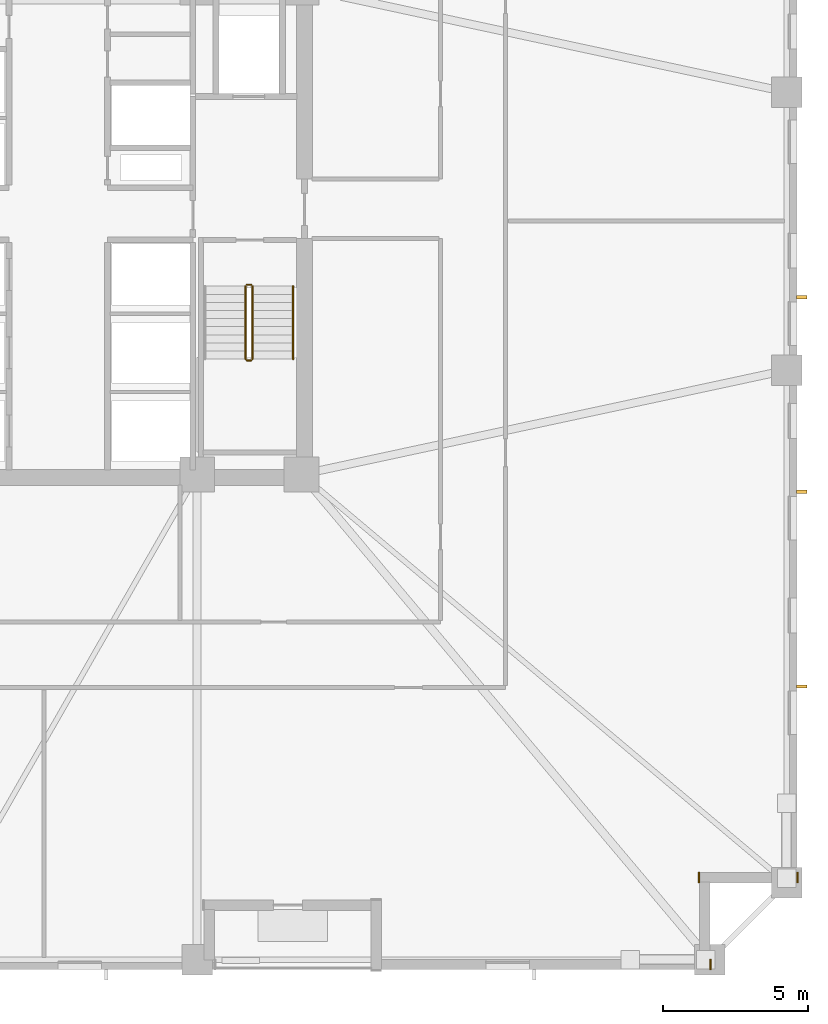
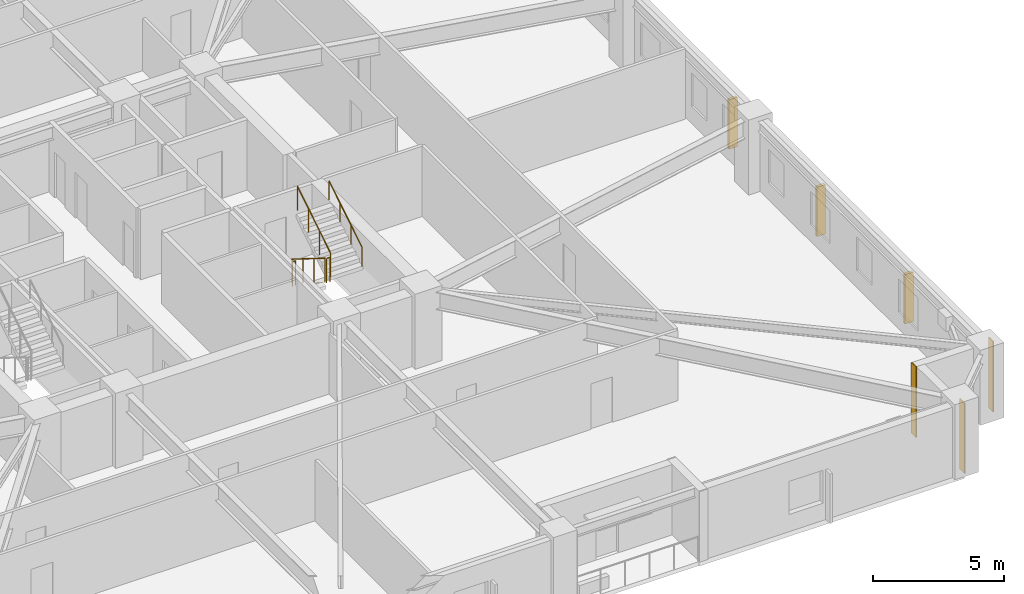
# One storey, part 9 of 11: 5 railings, 3 coverings, 3 shading devices.
"""IFC4 building model written with IfcOpenShell, lengths in metres."""

from ifc_helpers import new_model, si_unit, direction, frame, frame_2d, origin, origin_2d, place, context, subcontext, project, spatial, rectangle, circle, extrude, material, layer, layer_set, type_object, element, save


model = new_model("IFC4")

# Units and contexts
model_context = context("Model", 3, precision=1e-05, world=origin(), true_north=direction((0.0, 1.0)))
body_context = subcontext(model_context, "Body", "Model", "MODEL_VIEW")
ifc_project = project(units=[si_unit("LENGTHUNIT", "METRE"), si_unit("AREAUNIT", "SQUARE_METRE"), si_unit("VOLUMEUNIT", "CUBIC_METRE"), si_unit("PLANEANGLEUNIT", "RADIAN"), si_unit("MASSUNIT", "GRAM", prefix="KILO")], contexts=[model_context])

# Site, building, storey
site_placement = place(None, origin())
site = spatial("IfcSite", under=ifc_project, at=site_placement, CompositionType="ELEMENT")
building_placement = place(site_placement, origin())
building = spatial("IfcBuilding", under=site, at=building_placement, Name="Cairnveth Concourse Tower", CompositionType="ELEMENT")
storey_placement = place(building_placement, frame((0.0, 0.0, 44.5)))
storey = spatial("IfcBuildingStorey", under=building, at=storey_placement, Name="L11", CompositionType="ELEMENT", Elevation=44.5)

# Coverings
ifc_material_1 = material(Name="Dressed Melbourne Bluestone Cladding", Category="masonry")
ifc_layer = layer(ifc_material_1, 0.050048828125)
ifc_layer_set = layer_set([ifc_layer], Name="Dressed Melbourne Bluestone Cladding")
covering_type = type_object("IfcCoveringType", Name="DRESSED BLUESTONE PLINTH CLADDING 50", PredefinedType="CLADDING", material=ifc_layer_set)
for number, where, z_axis, x_axis, name in (
    (1, (77.52001953125, 16.860107421875, 0.0), (0.0, 0.0, 1.0), (0.0, -1.0, 0.0), "Melbourne Bluestone Corner Quoin L11-129"),
    (2, (74.1201171875, 16.860107421875, 0.0), (0.0, 0.0, 1.0), (0.0, -1.0, 0.0), "Melbourne Bluestone Corner Quoin L11-130"),
    (3, (74.52001953125, 13.860107421875, 0.0), (0.0, 0.0, 1.0), (0.0, -1.0, 0.0), "Melbourne Bluestone Corner Quoin L11-131"),
):
    element("IfcCovering", number, at=place(storey_placement, frame(where, z_axis=z_axis, x_axis=x_axis)), inside=storey, type_object=covering_type, Name=name, PredefinedType="CLADDING", context=body_context, shape_type="SweptSolid", body=[
        extrude(rectangle(XDim=0.360107421875, YDim=0.050048828125, at=frame_2d((0.18017578125, 0.0))), origin(), (0.0, 0.0, 1.0), 3.280029296875),
    ])

# Shading devices
ifc_material_2 = material(Name="Architectural Bronze Anodised Aluminium 6063-T6", Category="aluminium")
shading_device_type = type_object("IfcShadingDeviceType", Name="GOTHIC BRONZE VERTICAL LANCET FIN", PredefinedType="USERDEFINED", material=ifc_material_2)
for number, where, z_axis, x_axis, name in (
    (4, (77.675048828125, 36.71875, 0.02978515625), (0.0, 0.0, 1.0), (0.0, 1.0, 0.0), "Gothic Bronze Vertical Fin L11-9-7"),
    (5, (77.675048828125, 29.99853515625, 0.02978515625), (0.0, 0.0, 1.0), (0.0, 1.0, 0.0), "Gothic Bronze Vertical Fin L11-9-9"),
    (6, (77.675048828125, 23.278076171875, 0.02978515625), (0.0, 0.0, 1.0), (0.0, 1.0, 0.0), "Gothic Bronze Vertical Fin L11-9-11"),
):
    element("IfcShadingDevice", number, at=place(storey_placement, frame(where, z_axis=z_axis, x_axis=x_axis)), inside=storey, type_object=shading_device_type, Name=name, ObjectType="VERTICAL FIN", PredefinedType="USERDEFINED", context=body_context, shape_type="SweptSolid", body=[
        extrude(rectangle(XDim=0.1201171875, YDim=0.360107421875, at=origin_2d()), origin(), (0.0, 0.0, 1.0), 2.303955078125),
    ])

# Railings
ifc_material_3 = material(Name="Steel Grade 350", Category="steel")
railing_type_1 = type_object("IfcRailingType", Name="STAIR GUARDRAIL 1150", PredefinedType="GUARDRAIL", material=ifc_material_3)
railing_1_placement = place(storey_placement, frame((58.469970703125, 37.10009765625, 0.175048828125)))
element("IfcRailing", 7, at=railing_1_placement, inside=storey, type_object=railing_type_1, Name="L11 ST-2 stair guard 1", PredefinedType="GUARDRAIL", context=body_context, shape_type="SweptSolid", body=[
    extrude(circle(Radius=0.02392578125, at=origin_2d()), frame((0.0, 0.0, 1.1259765625), z_axis=(0.0, -0.848007534815, 0.529984170421), x_axis=(1.0, 0.0, 0.0)), (0.0, 0.0, 1.0), 2.9716796875),
    extrude(circle(Radius=0.02099609375, at=origin_2d()), origin(), (0.0, 0.0, 1.0), 1.101806640625),
    extrude(circle(Radius=0.02099609375, at=origin_2d()), frame((0.0, -0.840087890625, 0.52490234375)), (0.0, 0.0, 1.0), 1.101806640625),
    extrude(circle(Radius=0.02099609375, at=origin_2d()), frame((0.0, -1.679931640625, 1.050048828125)), (0.0, 0.0, 1.0), 1.101806640625),
    extrude(circle(Radius=0.02099609375, at=origin_2d()), frame((0.0, -2.52001953125, 1.574951171875)), (0.0, 0.0, 1.0), 1.101806640625),
])
railing_2_placement = place(storey_placement, frame((58.52001953125, 34.530029296875, 1.75)))
element("IfcRailing", 8, at=railing_2_placement, inside=storey, type_object=railing_type_1, Name="L11 ST-2 stair guard 2", PredefinedType="GUARDRAIL", context=body_context, shape_type="SweptSolid", body=[
    extrude(circle(Radius=0.02392578125, at=origin_2d()), frame((0.0, 0.0, 1.1259765625), z_axis=(1.0, 0.0, 0.0), x_axis=(0.0, 1.0, 0.0)), (0.0, 0.0, 1.0), 0.139892578125),
    extrude(circle(Radius=0.02099609375, at=origin_2d()), origin(), (0.0, 0.0, 1.0), 1.101806640625),
    extrude(circle(Radius=0.02099609375, at=origin_2d()), frame((0.139892578125, 0.0, 0.0)), (0.0, 0.0, 1.0), 1.101806640625),
])
railing_3_placement = place(storey_placement, frame((58.7099609375, 34.580078125, 1.925048828125)))
element("IfcRailing", 9, at=railing_3_placement, inside=storey, type_object=railing_type_1, Name="L11 ST-2 stair guard 3", PredefinedType="GUARDRAIL", context=body_context, shape_type="SweptSolid", body=[
    extrude(circle(Radius=0.02392578125, at=origin_2d()), frame((0.0, 0.0, 1.1259765625), z_axis=(0.0, 0.848007534815, 0.529984170421), x_axis=(-1.0, 0.0, 0.0)), (0.0, 0.0, 1.0), 2.9716796875),
    extrude(circle(Radius=0.02099609375, at=origin_2d()), origin(), (0.0, 0.0, 1.0), 1.101806640625),
    extrude(circle(Radius=0.02099609375, at=origin_2d()), frame((0.0, 0.840087890625, 0.52490234375)), (0.0, 0.0, 1.0), 1.101806640625),
    extrude(circle(Radius=0.02099609375, at=origin_2d()), frame((0.0, 1.679931640625, 1.050048828125)), (0.0, 0.0, 1.0), 1.101806640625),
    extrude(circle(Radius=0.02099609375, at=origin_2d()), frame((0.0, 2.52001953125, 1.574951171875)), (0.0, 0.0, 1.0), 1.101806640625),
])
railing_4_placement = place(storey_placement, frame((58.52001953125, 37.14990234375, 0.0)))
element("IfcRailing", 10, at=railing_4_placement, inside=storey, type_object=railing_type_1, Name="L11 ST-2 stair guard 4", PredefinedType="GUARDRAIL", context=body_context, shape_type="SweptSolid", body=[
    extrude(circle(Radius=0.02392578125, at=origin_2d()), frame((0.0, 0.0, 1.1259765625), z_axis=(1.0, 0.0, 0.0), x_axis=(0.0, 1.0, 0.0)), (0.0, 0.0, 1.0), 0.139892578125),
    extrude(circle(Radius=0.02099609375, at=origin_2d()), origin(), (0.0, 0.0, 1.0), 1.101806640625),
    extrude(circle(Radius=0.02099609375, at=origin_2d()), frame((0.139892578125, 0.0, 0.0)), (0.0, 0.0, 1.0), 1.101806640625),
])
railing_type_2 = type_object("IfcRailingType", Name="STAIR WALL HANDRAIL 900", PredefinedType="HANDRAIL", material=ifc_material_3)
railing_5_placement = place(storey_placement, frame((60.110107421875, 34.580078125, 1.925048828125)))
element("IfcRailing", 11, at=railing_5_placement, inside=storey, type_object=railing_type_2, Name="L11 ST-2 stair handrail 2", PredefinedType="HANDRAIL", context=body_context, shape_type="SweptSolid", body=[
    extrude(circle(Radius=0.02392578125, at=origin_2d()), frame((0.0, 0.0, 0.8759765625), z_axis=(0.0, 0.848007534815, 0.529984170421), x_axis=(-1.0, 0.0, 0.0)), (0.0, 0.0, 1.0), 2.9716796875),
    extrude(circle(Radius=0.02099609375, at=origin_2d()), origin(), (0.0, 0.0, 1.0), 0.851806640625),
    extrude(circle(Radius=0.02099609375, at=origin_2d()), frame((0.0, 0.840087890625, 0.52490234375)), (0.0, 0.0, 1.0), 0.851806640625),
    extrude(circle(Radius=0.02099609375, at=origin_2d()), frame((0.0, 1.679931640625, 1.050048828125)), (0.0, 0.0, 1.0), 0.851806640625),
    extrude(circle(Radius=0.02099609375, at=origin_2d()), frame((0.0, 2.52001953125, 1.574951171875)), (0.0, 0.0, 1.0), 0.851806640625),
])

save(model, "model.ifc")
